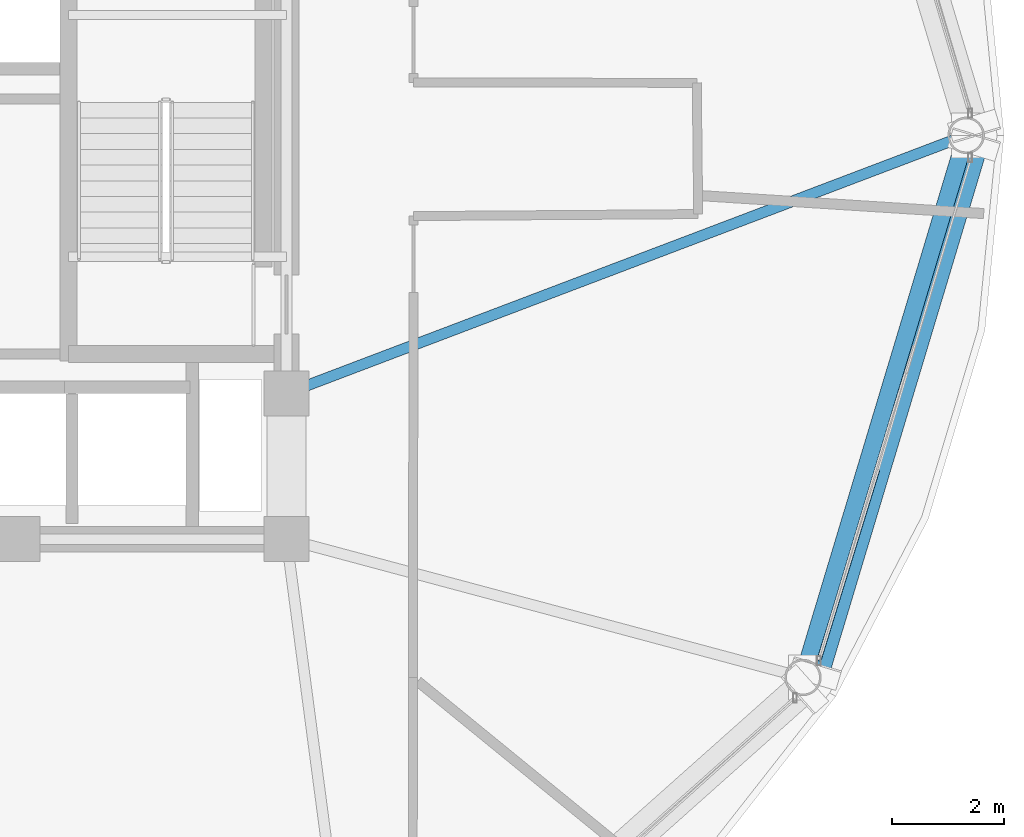
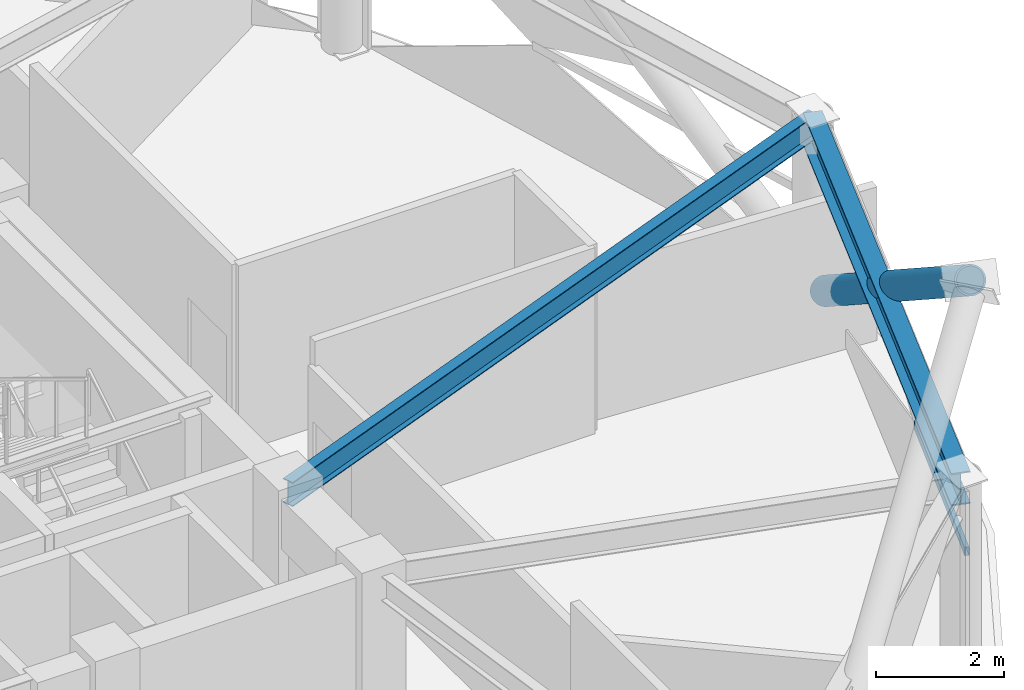
# One storey, part 12 of 28: 2 beams, 2 members, 1 element without a shape of its own.
"""IFC4 building model written with IfcOpenShell, lengths in metres."""

from ifc_helpers import new_model, si_unit, direction, frame, origin, origin_2d, place, context, subcontext, project, spatial, hollow_rectangle, hollow_circle, i_section, extrude, material, layer, layer_set, material_profile, profile_set, type_object, element, aggregate, save


model = new_model("IFC4")

# Units and contexts
model_context = context("Model", 3, precision=1e-05, world=origin(), true_north=direction((0.0, 1.0)))
body_context = subcontext(model_context, "Body", "Model", "MODEL_VIEW")
ifc_project = project(units=[si_unit("LENGTHUNIT", "METRE"), si_unit("AREAUNIT", "SQUARE_METRE"), si_unit("VOLUMEUNIT", "CUBIC_METRE"), si_unit("PLANEANGLEUNIT", "RADIAN"), si_unit("MASSUNIT", "GRAM", prefix="KILO")], contexts=[model_context])

# Site, building, storey
site_placement = place(None, origin())
site = spatial("IfcSite", under=ifc_project, at=site_placement, CompositionType="ELEMENT")
building_placement = place(site_placement, origin())
building = spatial("IfcBuilding", under=site, at=building_placement, Name="Vantalir Tower", CompositionType="ELEMENT")
storey_placement = place(building_placement, frame((0.0, 0.0, 242.39990234375)))
storey = spatial("IfcBuildingStorey", under=building, at=storey_placement, Name="L61", CompositionType="ELEMENT", Elevation=242.39990234375)

# Beams
ifc_material_1 = material(Name="Steel S355", Category="steel")
ifc_material_profile_1 = material_profile(ifc_material_1, i_section(OverallWidth=0.19189453125, OverallDepth=0.462890625, WebThickness=0.010498046875, FlangeThickness=0.017578125, at=origin_2d()), Name="Steel S355")
ifc_profile_set_1 = profile_set([ifc_material_profile_1], Name="Steel S355")
beam_type_1 = type_object("IfcBeamType", Name="BM-RB-457x191", PredefinedType="BEAM", material=ifc_profile_set_1)
beam_1_placement = place(storey_placement, frame((53.218017578125, 25.0, 3.338134765625), z_axis=(-0.934904236312, -0.354900083018, 0.0), x_axis=(0.354900083018, -0.934904236312, 0.0)))
element("IfcBeam", 1, at=beam_1_placement, inside=storey, type_object=beam_type_1, Name="L61 Radial Floor Beam 01", PredefinedType="BEAM", context=body_context, shape_type="SweptSolid", body=[
    extrude(i_section(OverallWidth=0.19189453125, OverallDepth=0.462890625, WebThickness=0.010498046875, FlangeThickness=0.017578125, at=origin_2d()), origin(), (0.0, 0.0, 1.0), 12.961669921875),
])
ifc_material_2 = material(Name="Steel S460", Category="steel")
ifc_material_profile_2 = material_profile(ifc_material_2, i_section(OverallWidth=0.306884765625, OverallDepth=0.6201171875, WebThickness=0.01416015625, FlangeThickness=0.023681640625, at=origin_2d()), Name="Steel S460")
ifc_profile_set_2 = profile_set([ifc_material_profile_2], Name="Steel S460")
beam_type_2 = type_object("IfcBeamType", Name="BM-RG-610x305", PredefinedType="USERDEFINED", material=ifc_profile_set_2)
beam_2_placement = place(storey_placement, frame((50.30810546875, 15.3330078125, 3.260009765625), z_axis=(0.288239655449, 0.957558301633, 0.0), x_axis=(-0.957558301633, 0.288239655449, 0.0)))
element("IfcBeam", 2, at=beam_2_placement, inside=storey, type_object=beam_type_2, Name="L61 Circumferential Ring Girder 12", ObjectType="GIRDER", PredefinedType="USERDEFINED", context=body_context, shape_type="SweptSolid", body=[
    extrude(i_section(OverallWidth=0.306884765625, OverallDepth=0.6201171875, WebThickness=0.01416015625, FlangeThickness=0.023681640625, at=origin_2d()), origin(), (0.0, 0.0, 1.0), 10.095458984375),
])

# Curtain wall, member
ifc_material_3 = material(Name="Champagne-silver PVDF aluminium and double-silver Low-E glass", Category="aluminium")
ifc_layer = layer(ifc_material_3, 0.2099609375)
ifc_layer_set = layer_set([ifc_layer], Name="Champagne-silver PVDF aluminium and double-silver Low-E glass")
curtain_wall_type = type_object("IfcCurtainWallType", Name="CW-DIAMOND-Z3", PredefinedType="USERDEFINED", material=ifc_layer_set)
curtain_wall_placement = place(storey_placement, origin())
curtain_wall = element("IfcCurtainWall", 3, at=curtain_wall_placement, inside=storey, type_object=curtain_wall_type, Name="L61 Quilted Pyramid-Diamond Curtain Wall S12", ObjectType="UNITISED CURTAIN WALL", PredefinedType="USERDEFINED")
ifc_material_4 = material(Name="Champagne-silver PVDF aluminium 6063-T6", Category="aluminium")
ifc_material_profile_3 = material_profile(ifc_material_4, hollow_rectangle(XDim=0.074951171875, YDim=0.159912109375, WallThickness=0.00390625, at=origin_2d()), Name="Champagne-silver PVDF aluminium 6063-T6")
ifc_profile_set_3 = profile_set([ifc_material_profile_3], Name="Champagne-silver PVDF aluminium 6063-T6")
member_type_1 = type_object("IfcMemberType", Name="CWT-160x75", PredefinedType="USERDEFINED", material=ifc_profile_set_3)
member_1_placement = place(storey_placement, frame((50.591064453125, 15.631103515625, 1.78515625), z_axis=(0.294471161401, 0.955660365979, 0.0), x_axis=(-0.955660365979, 0.294471161401, 0.0)))
member_1 = element("IfcMember", 4, at=member_1_placement, type_object=member_type_1, Name="CW-L61-S12 Pyramid Fold Ridge Transom", ObjectType="TRANSOM", PredefinedType="USERDEFINED", context=body_context, shape_type="SweptSolid", body=[
    extrude(hollow_rectangle(XDim=0.074951171875, YDim=0.159912109375, WallThickness=0.00390625, at=origin_2d()), origin(), (0.0, 0.0, 1.0), 3.561767578125),
])
aggregate(curtain_wall, [member_1])

# Member
ifc_material_profile_4 = material_profile(ifc_material_2, hollow_circle(Radius=0.25, WallThickness=0.031982421875, at=origin_2d()), Name="Steel S460")
ifc_profile_set_4 = profile_set([ifc_material_profile_4], Name="Steel S460")
member_type_2 = type_object("IfcMemberType", Name="MEM-DB-500x32", PredefinedType="BRACE", material=ifc_profile_set_4)
member_2_placement = place(storey_placement, frame((53.35595703125, 24.827880859375, 0.2060546875), z_axis=(-0.235567399695, -0.783653674596, 0.574799894305), x_axis=(0.957667620828, -0.287876237327, 0.0)))
element("IfcMember", 5, at=member_2_placement, inside=storey, type_object=member_type_2, Name="L61 Perimeter S460 Diagrid Brace R01R", PredefinedType="BRACE", context=body_context, shape_type="SweptSolid", body=[
    extrude(hollow_circle(Radius=0.25, WallThickness=0.031982421875, at=origin_2d()), origin(), (0.0, 0.0, 1.0), 12.01806640625),
])

save(model, "model.ifc")
